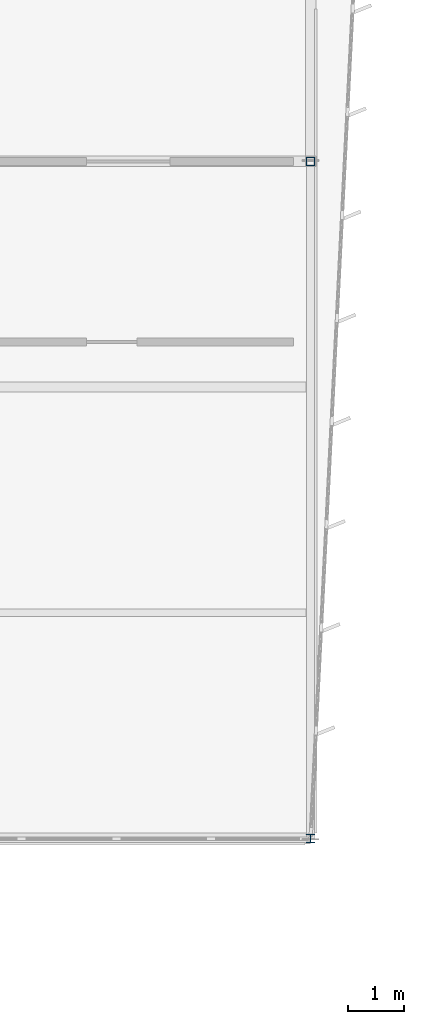
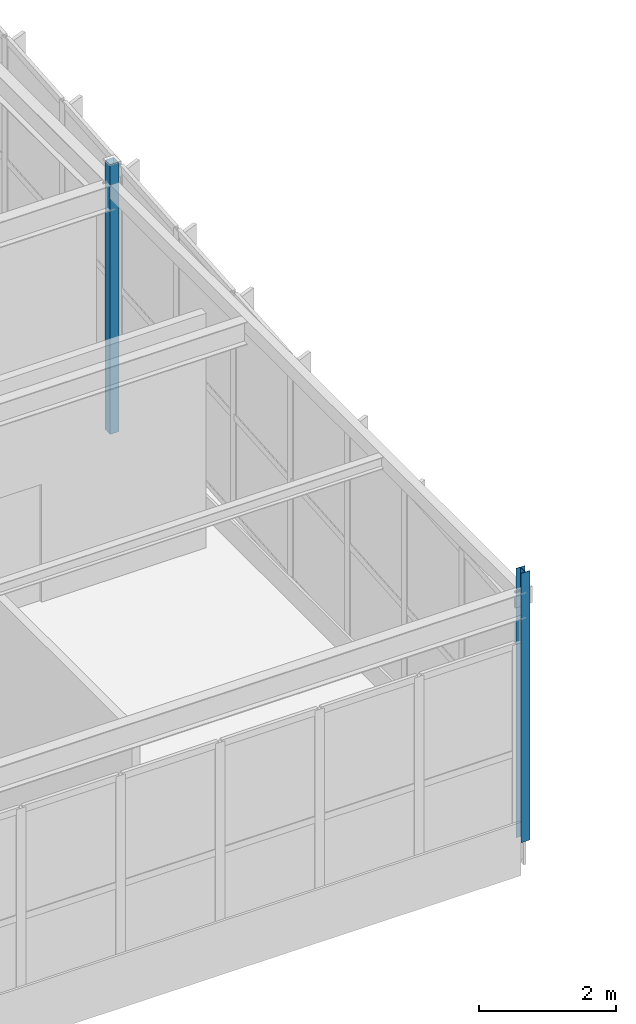
# One storey, part 59 of 226: 2 columns.
"""IFC4 building model written with IfcOpenShell, lengths in metres."""

from ifc_helpers import new_model, si_unit, direction, frame, origin, origin_2d, place, context, subcontext, project, spatial, hollow_rectangle, i_section, extrude, material, material_profile, profile_set, type_object, element, save


model = new_model("IFC4")

# Units and contexts
model_context = context("Model", 3, precision=1e-05, world=origin(), true_north=direction((0.0, 1.0)))
body_context = subcontext(model_context, "Body", "Model", "MODEL_VIEW")
ifc_project = project(units=[si_unit("LENGTHUNIT", "METRE"), si_unit("AREAUNIT", "SQUARE_METRE"), si_unit("VOLUMEUNIT", "CUBIC_METRE"), si_unit("PLANEANGLEUNIT", "RADIAN"), si_unit("MASSUNIT", "GRAM", prefix="KILO")], contexts=[model_context])

# Site, building, storey
site_placement = place(None, origin())
site = spatial("IfcSite", under=ifc_project, at=site_placement, CompositionType="ELEMENT")
building_placement = place(site_placement, origin())
building = spatial("IfcBuilding", under=site, at=building_placement, Name="Tarnwether General Hospital", CompositionType="ELEMENT")
storey_placement = place(building_placement, frame((0.0, 0.0, 4.800048828125)))
storey = spatial("IfcBuildingStorey", under=building, at=storey_placement, Name="L01", CompositionType="ELEMENT", Elevation=4.800048828125)

# Columns
ifc_material_1 = material(Name="Steel Grade 350 (350 MPa)", Category="steel")
ifc_material_profile_1 = material_profile(ifc_material_1, i_section(OverallWidth=0.152099609375, OverallDepth=0.152099609375, WebThickness=0.006103515625, FlangeThickness=0.0068359375, at=origin_2d()), Name="150UC23.4")
ifc_profile_set_1 = profile_set([ifc_material_profile_1], Name="Steel Grade 350 (350 MPa)")
column_type_1 = type_object("IfcColumnType", Name="COL-32", PredefinedType="COLUMN", material=ifc_profile_set_1)
column_1_placement = place(storey_placement, frame((192.0, 81.60009765625, 0.0), z_axis=(0.0, 0.0, 1.0), x_axis=(1.0, 0.0, 0.0)))
element("IfcColumn", 1, at=column_1_placement, inside=storey, type_object=column_type_1, Name="Column COLG-L01-19200_8160", PredefinedType="COLUMN", context=body_context, shape_type="SweptSolid", body=[
    extrude(i_section(OverallWidth=0.152099609375, OverallDepth=0.152099609375, WebThickness=0.006103515625, FlangeThickness=0.0068359375, at=origin_2d()), origin(), (0.0, 0.0, 1.0), 4.800048828125),
])
ifc_material_2 = material(Name="Steel Grade C350L0 (350 MPa)", Category="steel")
ifc_material_profile_2 = material_profile(ifc_material_2, hollow_rectangle(XDim=0.14990234375, YDim=0.14990234375, WallThickness=0.008056640625, at=origin_2d()), Name="SHS150x150x8")
ifc_profile_set_2 = profile_set([ifc_material_profile_2], Name="Steel Grade C350L0 (350 MPa)")
column_type_2 = type_object("IfcColumnType", Name="COL-33", PredefinedType="COLUMN", material=ifc_profile_set_2)
column_2_placement = place(storey_placement, frame((192.0, 93.60009765625, 0.0), z_axis=(0.0, 0.0, 1.0), x_axis=(1.0, 0.0, 0.0)))
element("IfcColumn", 2, at=column_2_placement, inside=storey, type_object=column_type_2, Name="Column COLG-L01-19200_9360", PredefinedType="COLUMN", context=body_context, shape_type="SweptSolid", body=[
    extrude(hollow_rectangle(XDim=0.14990234375, YDim=0.14990234375, WallThickness=0.008056640625, at=origin_2d()), origin(), (0.0, 0.0, 1.0), 4.800048828125),
])

save(model, "model.ifc")
